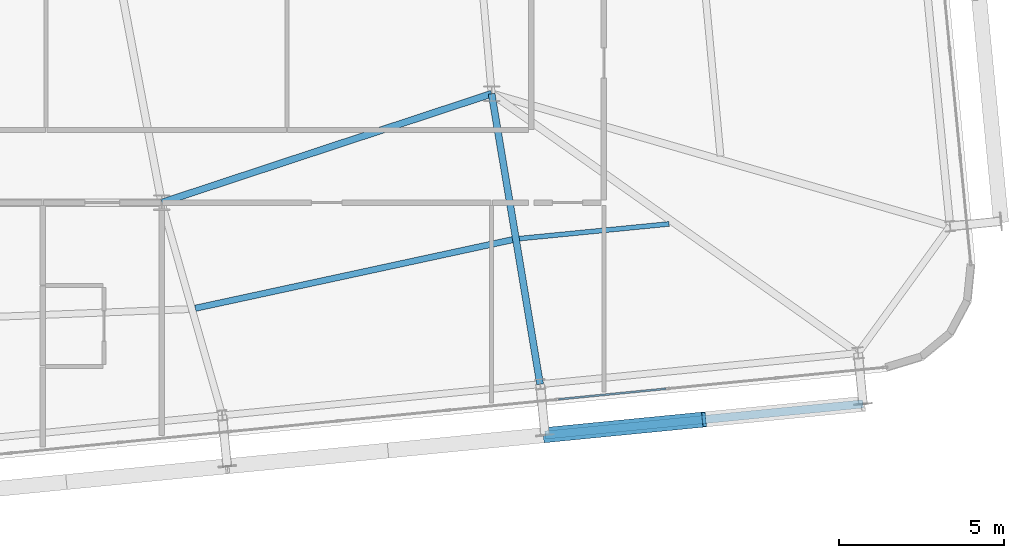
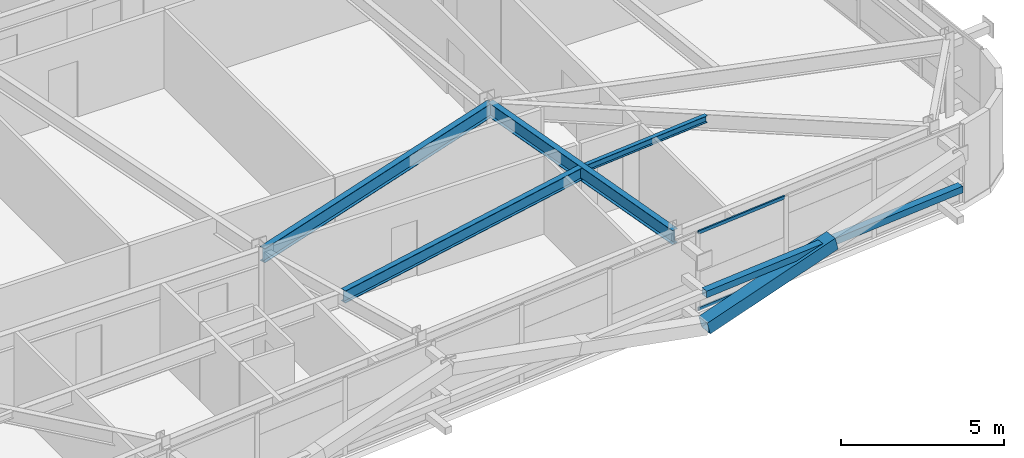
# One storey, part 19 of 52: 4 beams, 4 members, 1 element without a shape of its own.
"""IFC4 building model written with IfcOpenShell, lengths in metres."""

import ifcopenshell
import ifcopenshell.guid

model = None  # the IFC model being written
_history = None  # IfcOwnerHistory: only IFC2X3 demands one
_inside = {}  # id of a spatial element -> (the spatial element, [elements in it])
_under = {}  # id of a project, library or spatial element -> (it, [spatial elements below it])
_declared = {}  # id of a project -> (the project, [libraries it declares])
_typed = {}  # id of a type object -> (the type object, [elements of that type])
_made_of = {}  # id of a material, layer set ... -> (it, [elements and type objects made of it])


def new_model(schema):
    """Start an empty IFC model of exactly this schema.

    Asked for "IFC4X3", IfcOpenShell would pick the latest addendum, in which some entities
    have other attributes; the version numbers below select the first issue.
    IFC2X3 requires an IfcOwnerHistory on every rooted entity: one is made here for all.
    """
    global model, _history
    if schema == "IFC4X3":
        model = ifcopenshell.file(schema_version=(4, 3, 0, 0))
    else:
        model = ifcopenshell.file(schema=schema)
    _inside.clear()
    _under.clear()
    _declared.clear()
    _typed.clear()
    _made_of.clear()
    _history = None
    if model.schema == "IFC2X3":
        org = make("IfcOrganization", Name="unknown")
        user = make(
            "IfcPersonAndOrganization",
            ThePerson=make("IfcPerson", FamilyName="unknown"),
            TheOrganization=org,
        )
        app = make(
            "IfcApplication",
            ApplicationDeveloper=org,
            Version="unknown",
            ApplicationFullName="unknown",
            ApplicationIdentifier="unknown",
        )
        _history = make(
            "IfcOwnerHistory",
            OwningUser=user,
            OwningApplication=app,
            ChangeAction="ADDED",
            CreationDate=0,
        )
    return model


def make(cls, **values):
    """One entity of the class cls with the attributes given. An attribute that is None is left unset."""
    return model.create_entity(
        cls, **{name: value for name, value in values.items() if value is not None}
    )


def rooted(cls, **values):
    """An entity with a GlobalId (a new one), such as an element, a storey or a relation."""
    return make(cls, GlobalId=ifcopenshell.guid.new(), OwnerHistory=_history, **values)


def si_unit(unit_type, name, prefix=None):
    """IfcSIUnit, for example si_unit("LENGTHUNIT", "METRE", prefix="MILLI")."""
    return make("IfcSIUnit", UnitType=unit_type, Prefix=prefix, Name=name)


def assignment(units):
    """IfcUnitAssignment: the units of a project."""
    return None if units is None else make("IfcUnitAssignment", Units=units)


def point(xyz):
    """IfcCartesianPoint."""
    return None if xyz is None else make("IfcCartesianPoint", Coordinates=xyz)


def direction(xyz):
    """IfcDirection."""
    return None if xyz is None else make("IfcDirection", DirectionRatios=xyz)


def frame(location, z_axis=None, x_axis=None):
    """IfcAxis2Placement3D, a coordinate frame: its origin and axes. An axis left out is left unset."""
    return make(
        "IfcAxis2Placement3D",
        Location=point(location),
        Axis=direction(z_axis),
        RefDirection=direction(x_axis),
    )


def frame_2d(location, x_axis=None):
    """IfcAxis2Placement2D, a coordinate frame in the plane: its origin and x axis."""
    return make(
        "IfcAxis2Placement2D", Location=point(location), RefDirection=direction(x_axis)
    )


def origin():
    """The frame at (0, 0, 0) with its axes left unset."""
    return frame((0.0, 0.0, 0.0))


def origin_2d():
    """The frame at (0, 0) in the plane with its x axis left unset."""
    return frame_2d((0.0, 0.0))


def place(relative_to, where):
    """IfcLocalPlacement: puts the frame where relative to a parent placement (None: the world)."""
    return make(
        "IfcLocalPlacement", PlacementRelTo=relative_to, RelativePlacement=where
    )


def context(
    kind, dimensions, precision=None, world=None, true_north=None, identifier=None
):
    """IfcGeometricRepresentationContext, for example the 3D "Model" context."""
    return make(
        "IfcGeometricRepresentationContext",
        ContextIdentifier=identifier,
        ContextType=kind,
        CoordinateSpaceDimension=dimensions,
        Precision=precision,
        WorldCoordinateSystem=world,
        TrueNorth=true_north,
    )


def subcontext(parent, identifier, kind, view, scale=None):
    """IfcGeometricRepresentationSubContext, for example "Body" below "Model"."""
    return make(
        "IfcGeometricRepresentationSubContext",
        ContextIdentifier=identifier,
        ContextType=kind,
        ParentContext=parent,
        TargetScale=scale,
        TargetView=view,
    )


def project(units=None, contexts=None):
    """IfcProject with its units and contexts."""
    return rooted(
        "IfcProject",
        Name="project",
        RepresentationContexts=contexts,
        UnitsInContext=assignment(units),
    )


def spatial(cls, under=None, at=None, **own):
    """A site, building, storey or space (cls), placed at a placement, below another one or the project."""
    s = rooted(cls, ObjectPlacement=at, **own)
    if under is not None:
        _under.setdefault(under.id(), (under, []))[1].append(s)
    return s


def profile(cls, at=None, kind="AREA", **sizes):
    """A parametric profile (cls). Its sizes go by their IFC names, for example OverallWidth=200.0."""
    return make(cls, ProfileType=kind, Position=at, **sizes)


def hollow_rectangle(**sizes):
    """IfcRectangleHollowProfileDef."""
    return profile("IfcRectangleHollowProfileDef", **sizes)


def i_section(**sizes):
    """IfcIShapeProfileDef."""
    return profile("IfcIShapeProfileDef", **sizes)


def extrude(swept, where, along, depth):
    """IfcExtrudedAreaSolid: the profile swept, set in the frame where, extruded along a direction by depth."""
    return make(
        "IfcExtrudedAreaSolid",
        SweptArea=swept,
        Position=where,
        ExtrudedDirection=direction(along),
        Depth=depth,
    )


def shape(context_of_items, identifier, shape_type, items):
    """IfcShapeRepresentation: the items that make up one representation, for example the "Body"."""
    return make(
        "IfcShapeRepresentation",
        ContextOfItems=context_of_items,
        RepresentationIdentifier=identifier,
        RepresentationType=shape_type,
        Items=items,
    )


def source(mapping_origin, context_of_items, identifier, shape_type, items):
    """IfcRepresentationMap: a shape defined once, which mapped items show again and again."""
    return make(
        "IfcRepresentationMap",
        MappingOrigin=mapping_origin,
        MappedRepresentation=shape(context_of_items, identifier, shape_type, items),
    )


def transform(
    local_origin,
    x_axis=None,
    y_axis=None,
    z_axis=None,
    scale=None,
    scale2=None,
    scale3=None,
    uniform=True,
):
    """IfcCartesianTransformationOperator3D, or its non-uniform kind. x_axis, y_axis, z_axis: its Axis1, 2, 3."""
    if uniform:
        return make(
            "IfcCartesianTransformationOperator3D",
            Axis1=direction(x_axis),
            Axis2=direction(y_axis),
            LocalOrigin=point(local_origin),
            Scale=scale,
            Axis3=direction(z_axis),
        )
    return make(
        "IfcCartesianTransformationOperator3DnonUniform",
        Axis1=direction(x_axis),
        Axis2=direction(y_axis),
        LocalOrigin=point(local_origin),
        Scale=scale,
        Axis3=direction(z_axis),
        Scale2=scale2,
        Scale3=scale3,
    )


def mapped(mapping_source, mapping_target):
    """IfcMappedItem: shows the shape of a source again, moved by a transform."""
    return make(
        "IfcMappedItem", MappingSource=mapping_source, MappingTarget=mapping_target
    )


def material(Name=None, Category=None):
    """IfcMaterial."""
    return make("IfcMaterial", Name=Name, Category=Category)


def layer(
    of_material, thickness, ventilated=None, Name=None, Category=None, Priority=None
):
    """IfcMaterialLayer: one layer of a wall or slab, of a material (None: an air gap)."""
    return make(
        "IfcMaterialLayer",
        Material=of_material,
        LayerThickness=thickness,
        IsVentilated=ventilated,
        Name=Name,
        Category=Category,
        Priority=Priority,
    )


def layer_set(layers, Name=None):
    """IfcMaterialLayerSet."""
    return make("IfcMaterialLayerSet", MaterialLayers=layers, LayerSetName=Name)


def material_profile(
    of_material, cross_section, Name=None, Category=None, Priority=None
):
    """IfcMaterialProfile: a cross section and its material."""
    return make(
        "IfcMaterialProfile",
        Name=Name,
        Material=of_material,
        Profile=cross_section,
        Priority=Priority,
        Category=Category,
    )


def profile_set(profiles, Name=None, composite=None):
    """IfcMaterialProfileSet."""
    return make(
        "IfcMaterialProfileSet",
        Name=Name,
        MaterialProfiles=profiles,
        CompositeProfile=composite,
    )


def made_of(thing, what):
    """Note that an element or type object is made of a material, layer set ...; save() writes the relation."""
    if what is not None:
        _made_of.setdefault(what.id(), (what, []))[1].append(thing)
    return thing


def type_object(cls, material=None, **own):
    """A type object (cls), such as IfcWallType, which elements share."""
    return made_of(rooted(cls, **own), material)


def element(
    cls,
    number,
    at=None,
    inside=None,
    cuts=None,
    type_object=None,
    material=None,
    context=None,
    identifier="Body",
    shape_type=None,
    held_by="IfcProductDefinitionShape",
    body=None,
    shapes=None,
    **own,
):
    """One element of the class cls, such as IfcWall. Its Tag is "e" and its number.

    at: its placement. inside: the storey or other place that contains it. cuts: it is an
    opening in that element (IfcRelVoidsElement). A single representation is given by context,
    identifier, shape_type and body (its items); several are given by shapes. held_by: the class
    of the entity that holds the representations. save() writes the other relations.
    """
    e = rooted(cls, Tag="e%d" % number, ObjectPlacement=at, **own)
    if body is not None:
        shapes = [shape(context, identifier, shape_type, body)]
    if shapes is not None:
        e.Representation = make(held_by, Representations=shapes)
    if inside is not None:
        _inside.setdefault(inside.id(), (inside, []))[1].append(e)
    if cuts is not None:
        rooted(
            "IfcRelVoidsElement", RelatingBuildingElement=cuts, RelatedOpeningElement=e
        )
    if type_object is not None:
        _typed.setdefault(type_object.id(), (type_object, []))[1].append(e)
    return made_of(e, material)


def aggregate(whole, parts):
    """IfcRelAggregates: a whole, such as a stair, and the parts it consists of."""
    return rooted("IfcRelAggregates", RelatingObject=whole, RelatedObjects=parts)


def save(model, path):
    """Write the relations noted so far, then the file.

    IfcRelAggregates (storeys below a building ...), IfcRelContainedInSpatialStructure (elements
    in a storey), IfcRelDefinesByType, IfcRelAssociatesMaterial and IfcRelDeclares: one each for
    every whole, place, type object, material and project.
    """
    for whole, parts in _under.values():
        aggregate(whole, parts)
    for where, things in _inside.values():
        rooted(
            "IfcRelContainedInSpatialStructure",
            RelatedElements=things,
            RelatingStructure=where,
        )
    for kind, things in _typed.values():
        rooted("IfcRelDefinesByType", RelatedObjects=things, RelatingType=kind)
    for what, things in _made_of.values():
        rooted("IfcRelAssociatesMaterial", RelatedObjects=things, RelatingMaterial=what)
    for by, libraries in _declared.values():
        rooted("IfcRelDeclares", RelatingContext=by, RelatedDefinitions=libraries)
    model.write(path)


model = new_model("IFC4")

# Units and contexts
model_context = context("Model", 3, precision=1e-05, world=origin(), true_north=direction((0.0, 1.0)))
body_context = subcontext(model_context, "Body", "Model", "MODEL_VIEW")
ifc_project = project(units=[si_unit("LENGTHUNIT", "METRE"), si_unit("AREAUNIT", "SQUARE_METRE"), si_unit("VOLUMEUNIT", "CUBIC_METRE"), si_unit("PLANEANGLEUNIT", "RADIAN"), si_unit("MASSUNIT", "GRAM", prefix="KILO")], contexts=[model_context])

# Site, building, storey
site_placement = place(None, origin())
site = spatial("IfcSite", under=ifc_project, at=site_placement, CompositionType="ELEMENT")
building_placement = place(site_placement, origin())
building = spatial("IfcBuilding", under=site, at=building_placement, Name="Taldren Reach Tower", CompositionType="ELEMENT")
storey_placement = place(building_placement, frame((0.0, 0.0, 93.449951171875)))
storey = spatial("IfcBuildingStorey", under=building, at=storey_placement, Name="L28", CompositionType="ELEMENT", Elevation=93.449951171875)

# Beams
ifc_material_1 = material(Name="Steel Gr 350 (350PLUS)", Category="steel")
ifc_material_profile_1 = material_profile(ifc_material_1, i_section(OverallWidth=0.208984375, OverallDepth=0.532958984375, WebThickness=0.01025390625, FlangeThickness=0.015625, at=origin_2d()), Name="530UB92.4")
ifc_profile_set_1 = profile_set([ifc_material_profile_1], Name="Steel Gr 350 (350PLUS)")
beam_type_1 = type_object("IfcBeamType", Name="BM-UB530A", PredefinedType="BEAM", material=ifc_profile_set_1)
shared_shape_1 = source(origin(), body_context, "Body", "SweptSolid", [
    extrude(i_section(OverallWidth=0.208984375, OverallDepth=0.532958984375, WebThickness=0.01025390625, FlangeThickness=0.015625, at=origin_2d()), origin(), (0.0, 0.0, 1.0), 10.530517578125),
])
beam_1_placement = place(storey_placement, frame((42.0, 9.199951171875, 2.66357421875), z_axis=(0.949627269203, 0.313381635689, 0.0), x_axis=(-0.313381635689, 0.949627269203, 0.0)))
element("IfcBeam", 1, at=beam_1_placement, inside=storey, type_object=beam_type_1, Name="Core-spine girder L28-SP12", PredefinedType="BEAM", context=body_context, shape_type="MappedRepresentation", body=[
    mapped(shared_shape_1, transform((0.0, 0.0, 0.0), scale=1.0)),
])
shared_shape_2 = source(origin(), body_context, "Body", "SweptSolid", [
    extrude(i_section(OverallWidth=0.208984375, OverallDepth=0.532958984375, WebThickness=0.01025390625, FlangeThickness=0.015625, at=origin_2d()), origin(), (0.0, 0.0, 1.0), 8.92333984375),
])
beam_2_placement = place(storey_placement, frame((52.0, 12.5, 2.66357421875), z_axis=(0.164678494096, -0.986347298664, 0.0), x_axis=(0.986347298664, 0.164678494096, 0.0)))
element("IfcBeam", 2, at=beam_2_placement, inside=storey, type_object=beam_type_1, Name="Primary floor girder B2-S5 L28", PredefinedType="BEAM", context=body_context, shape_type="MappedRepresentation", body=[
    mapped(shared_shape_2, transform((0.0, 0.0, 0.0), scale=1.0)),
])
ifc_material_profile_2 = material_profile(ifc_material_1, i_section(OverallWidth=0.19091796875, OverallDepth=0.4599609375, WebThickness=0.010009765625, FlangeThickness=0.01611328125, at=origin_2d()), Name="460UB82.1")
ifc_profile_set_2 = profile_set([ifc_material_profile_2], Name="Steel Gr 350 (350PLUS)")
beam_type_2 = type_object("IfcBeamType", Name="BM-UB460A", PredefinedType="BEAM", material=ifc_profile_set_2)
shared_shape_3 = source(origin(), body_context, "Body", "SweptSolid", [
    extrude(i_section(OverallWidth=0.19091796875, OverallDepth=0.4599609375, WebThickness=0.010009765625, FlangeThickness=0.01611328125, at=origin_2d()), origin(), (0.0, 0.0, 1.0), 9.83447265625),
])
beam_3_placement = place(storey_placement, frame((43.02001953125, 5.9990234375, 2.699951171875), z_axis=(0.977418600156, 0.211312280924, 0.0), x_axis=(-0.211312280924, 0.977418600156, 0.0)))
element("IfcBeam", 3, at=beam_3_placement, inside=storey, type_object=beam_type_2, Name="Secondary floor beam B2 J4 L28", PredefinedType="BEAM", context=body_context, shape_type="MappedRepresentation", body=[
    mapped(shared_shape_3, transform((0.0, 0.0, 0.0), scale=1.0)),
])
ifc_material_2 = material(Name="Steel Gr 300 (300PLUS, 300 MPa)", Category="steel")
ifc_material_profile_3 = material_profile(ifc_material_2, i_section(OverallWidth=0.14599609375, OverallDepth=0.256103515625, WebThickness=0.00634765625, FlangeThickness=0.010986328125, at=origin_2d()), Name="250UB37.3")
ifc_profile_set_3 = profile_set([ifc_material_profile_3], Name="Steel Gr 300 (300PLUS, 300 MPa)")
beam_type_3 = type_object("IfcBeamType", Name="JS-UB250", PredefinedType="JOIST", material=ifc_profile_set_3)
shared_shape_4 = source(origin(), body_context, "Body", "SweptSolid", [
    extrude(i_section(OverallWidth=0.14599609375, OverallDepth=0.256103515625, WebThickness=0.00634765625, FlangeThickness=0.010986328125, at=origin_2d()), origin(), (0.0, 0.0, 1.0), 4.56103515625),
])
beam_4_placement = place(storey_placement, frame((52.8388671875, 8.109375, 2.802001953125), z_axis=(0.995227709746, 0.097579740487, 0.0), x_axis=(-0.097579740487, 0.995227709746, 0.0)))
element("IfcBeam", 4, at=beam_4_placement, inside=storey, type_object=beam_type_3, Name="Secondary floor joist B2 J5 L28", PredefinedType="JOIST", context=body_context, shape_type="MappedRepresentation", body=[
    mapped(shared_shape_4, transform((0.0, 0.0, 0.0), scale=1.0)),
])

# Members
ifc_material_3 = material(Name="Steel Gr 450 (C450L0)", Category="steel")
ifc_material_profile_4 = material_profile(ifc_material_3, hollow_rectangle(XDim=0.4599609375, YDim=0.4599609375, WallThickness=0.01611328125, at=origin_2d()), Name="460x460x16.0SHS")
ifc_profile_set_4 = profile_set([ifc_material_profile_4], Name="Steel Gr 450 (C450L0)")
member_type_1 = type_object("IfcMemberType", Name="MB-EXO457", PredefinedType="BRACE", material=ifc_profile_set_4)
shared_shape_5 = source(origin(), body_context, "Body", "SweptSolid", [
    extrude(hollow_rectangle(XDim=0.4599609375, YDim=0.4599609375, WallThickness=0.01611328125, at=origin_2d()), origin(), (0.0, 0.0, 1.0), 4.990234375),
])
member_1_placement = place(storey_placement, frame((53.62060546875, 2.156005859375, 0.219970703125), z_axis=(0.965275526283, 0.094619506732, 0.243496010862), x_axis=(-0.097555749586, 0.995230061706, 0.0)))
element("IfcMember", 5, at=member_1_placement, inside=storey, type_object=member_type_1, Name="Exoskeleton Diagrid Brace B2-S5 L28", PredefinedType="BRACE", context=body_context, shape_type="MappedRepresentation", body=[
    mapped(shared_shape_5, transform((0.0, 0.0, 0.0), scale=1.0)),
])
ifc_material_4 = material(Name="Steel Gr 350 (C350L0)", Category="steel")
ifc_material_profile_5 = material_profile(ifc_material_4, hollow_rectangle(XDim=0.25, YDim=0.25, WallThickness=0.010009765625, at=origin_2d()), Name="250x250x10.0SHS")
ifc_profile_set_5 = profile_set([ifc_material_profile_5], Name="Steel Gr 350 (C350L0)")
member_type_2 = type_object("IfcMemberType", Name="MB-POST250", PredefinedType="POST", material=ifc_profile_set_5)
shared_shape_6 = source(origin(), body_context, "Body", "SweptSolid", [
    extrude(hollow_rectangle(XDim=0.25, YDim=0.25, WallThickness=0.010009765625, at=origin_2d()), origin(), (0.0, 0.0, 1.0), 9.679931640625),
])
member_2_placement = place(storey_placement, frame((53.62060546875, 2.156005859375, 1.43505859375), z_axis=(0.995227612658, 0.097580730699, 0.0), x_axis=(-0.097580730699, 0.995227612658, 0.0)))
element("IfcMember", 6, at=member_2_placement, inside=storey, type_object=member_type_2, Name="Exoskeleton mid-height ring chord B2-S5 L28", PredefinedType="POST", context=body_context, shape_type="MappedRepresentation", body=[
    mapped(shared_shape_6, transform((0.0, 0.0, 0.0), scale=1.0)),
])

# Curtain wall, members
ifc_material_5 = material(Name="Aluminium and Low-E Glass Unitised System", Category="aluminium")
ifc_layer = layer(ifc_material_5, 0.159912109375)
ifc_layer_set = layer_set([ifc_layer], Name="Aluminium and Low-E Glass Unitised System")
curtain_wall_type = type_object("IfcCurtainWallType", Name="CW-SYS-3", PredefinedType="NOTDEFINED", material=ifc_layer_set)
curtain_wall_placement = place(storey_placement, origin())
curtain_wall = element("IfcCurtainWall", 7, at=curtain_wall_placement, inside=storey, type_object=curtain_wall_type, Name="Unitised curtain wall CW-L28-S", PredefinedType="NOTDEFINED")
ifc_material_6 = material(Name="Anodised Aluminium 6063-T6", Category="aluminium")
ifc_material_profile_6 = material_profile(ifc_material_6, hollow_rectangle(XDim=0.054931640625, YDim=0.1201171875, WallThickness=0.0029296875, at=origin_2d()), Name="ALU-120x55x3RHS")
ifc_profile_set_6 = profile_set([ifc_material_profile_6], Name="Anodised Aluminium 6063-T6")
member_type_3 = type_object("IfcMemberType", Name="CW-TRN-135", PredefinedType="USERDEFINED", material=ifc_profile_set_6)
shared_shape_7 = source(origin(), body_context, "Body", "SweptSolid", [
    extrude(hollow_rectangle(XDim=0.054931640625, YDim=0.1201171875, WallThickness=0.0029296875, at=origin_2d()), origin(), (0.0, 0.0, 1.0), 3.268310546875),
])
member_3_placement = place(storey_placement, frame((54.029296875, 3.240966796875, 0.027587890625), z_axis=(0.99522980512, 0.097558367146, 0.0), x_axis=(-0.097558367146, 0.99522980512, 0.0)))
member_3 = element("IfcMember", 8, at=member_3_placement, type_object=member_type_3, Name="CW-3 transom 13.1", ObjectType="TRANSOM", PredefinedType="USERDEFINED", context=body_context, shape_type="MappedRepresentation", body=[
    mapped(shared_shape_7, transform((0.0, 0.0, 0.0), scale=1.0)),
])
member_4_placement = place(storey_placement, frame((54.029296875, 3.240966796875, 2.902587890625), z_axis=(0.99522980512, 0.097558367146, 0.0), x_axis=(-0.097558367146, 0.99522980512, 0.0)))
member_4 = element("IfcMember", 9, at=member_4_placement, type_object=member_type_3, Name="CW-3 transom 13.2", ObjectType="TRANSOM", PredefinedType="USERDEFINED", context=body_context, shape_type="MappedRepresentation", body=[
    mapped(shared_shape_7, transform((0.0, 0.0, 0.0), scale=1.0)),
])
aggregate(curtain_wall, [member_3, member_4])

save(model, "model.ifc")
